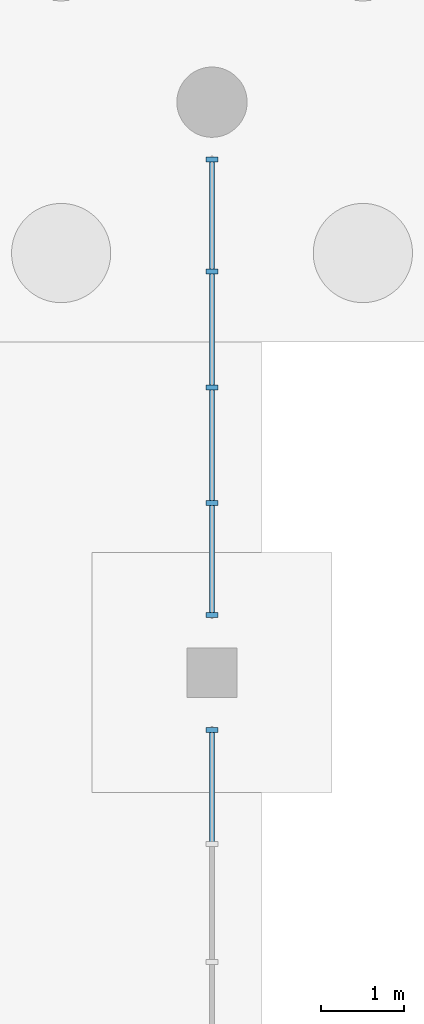
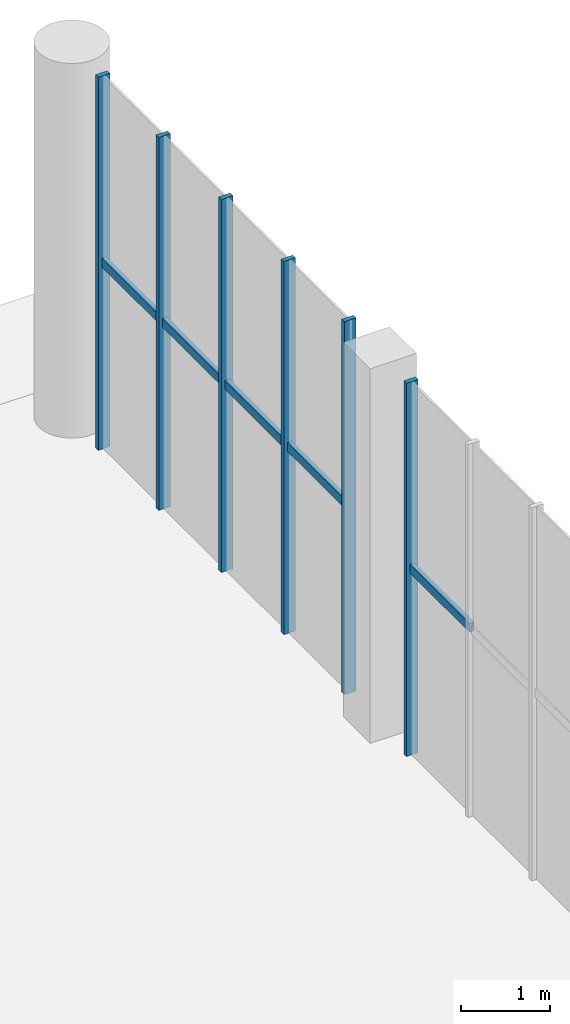
# One storey, part 55 of 87: 11 members, 2 elements without a shape of their own.
"""IFC4 building model written with IfcOpenShell, lengths in metres."""

from ifc_helpers import new_model, si_unit, direction, frame, origin, origin_2d, place, context, subcontext, project, spatial, rectangle, extrude, material, material_profile, profile_set, type_object, element, aggregate, save


model = new_model("IFC4")

# Units and contexts
model_context = context("Model", 3, precision=1e-05, world=origin(), true_north=direction((0.0, 1.0)))
body_context = subcontext(model_context, "Body", "Model", "MODEL_VIEW")
ifc_project = project(units=[si_unit("LENGTHUNIT", "METRE"), si_unit("AREAUNIT", "SQUARE_METRE"), si_unit("VOLUMEUNIT", "CUBIC_METRE"), si_unit("PLANEANGLEUNIT", "RADIAN"), si_unit("MASSUNIT", "GRAM", prefix="KILO")], contexts=[model_context])

# Site, building, storey
site_placement = place(None, origin())
site = spatial("IfcSite", under=ifc_project, at=site_placement, CompositionType="ELEMENT")
building_placement = place(site_placement, origin())
building = spatial("IfcBuilding", under=site, at=building_placement, Name="Brisemont Oceanarium", CompositionType="ELEMENT")
storey_placement = place(building_placement, origin())
storey = spatial("IfcBuildingStorey", under=building, at=storey_placement, Name="L00", CompositionType="ELEMENT", Elevation=0.0)

# Curtain wall, member
ifc_material_1 = material(Name="Anodized Extruded Aluminum 6063-T6", Category="aluminium")
curtain_wall_type = type_object("IfcCurtainWallType", Name="CW-RES-69X43", PredefinedType="NOTDEFINED", material=ifc_material_1)
curtain_wall_1_placement = place(storey_placement, origin())
curtain_wall_1 = element("IfcCurtainWall", 1, at=curtain_wall_1_placement, inside=storey, type_object=curtain_wall_type, Name="CW-16 curtain wall CW-V6-E-L00-03", PredefinedType="NOTDEFINED")
ifc_material_2 = material(Name="Anodized Extruded Aluminum 6063-T6", Category="aluminium")
ifc_material_profile_1 = material_profile(ifc_material_2, rectangle(XDim=0.06005859375, YDim=0.14990234375, at=origin_2d()), Name="CWM-60X150")
ifc_profile_set_1 = profile_set([ifc_material_profile_1], Name="Anodized Extruded Aluminum 6063-T6")
member_type_1 = type_object("IfcMemberType", Name="MEM-CWM-60", PredefinedType="MULLION", material=ifc_profile_set_1)
member_1_placement = place(storey_placement, frame((159.39990234375, 99.804931640625, 0.0), z_axis=(0.0, 0.0, 1.0), x_axis=(0.0, 1.0, 0.0)))
member_1 = element("IfcMember", 2, at=member_1_placement, type_object=member_type_1, Name="CW-V6-E-L00-03 mullion 5", PredefinedType="MULLION", context=body_context, shape_type="SweptSolid", body=[
    extrude(rectangle(XDim=0.06005859375, YDim=0.14990234375, at=origin_2d()), origin(), (0.0, 0.0, 1.0), 5.10009765625),
])

# Curtain wall, members
curtain_wall_2_placement = place(storey_placement, origin())
curtain_wall_2 = element("IfcCurtainWall", 3, at=curtain_wall_2_placement, inside=storey, type_object=curtain_wall_type, Name="CW-16 curtain wall CW-V6-E-L00-04", PredefinedType="NOTDEFINED")
member_2_placement = place(storey_placement, frame((159.39990234375, 101.195068359375, 0.0), z_axis=(0.0, 0.0, 1.0), x_axis=(0.0, 1.0, 0.0)))
member_2 = element("IfcMember", 4, at=member_2_placement, type_object=member_type_1, Name="CW-V6-E-L00-04 mullion 1", PredefinedType="MULLION", context=body_context, shape_type="SweptSolid", body=[
    extrude(rectangle(XDim=0.06005859375, YDim=0.14990234375, at=origin_2d()), origin(), (0.0, 0.0, 1.0), 5.10009765625),
])
member_3_placement = place(storey_placement, frame((159.39990234375, 102.550048828125, 0.0), z_axis=(0.0, 0.0, 1.0), x_axis=(0.0, 1.0, 0.0)))
member_3 = element("IfcMember", 5, at=member_3_placement, type_object=member_type_1, Name="CW-V6-E-L00-04 mullion 2", PredefinedType="MULLION", context=body_context, shape_type="SweptSolid", body=[
    extrude(rectangle(XDim=0.06005859375, YDim=0.14990234375, at=origin_2d()), origin(), (0.0, 0.0, 1.0), 5.10009765625),
])
member_4_placement = place(storey_placement, frame((159.39990234375, 103.949951171875, 0.0), z_axis=(0.0, 0.0, 1.0), x_axis=(0.0, 1.0, 0.0)))
member_4 = element("IfcMember", 6, at=member_4_placement, type_object=member_type_1, Name="CW-V6-E-L00-04 mullion 3", PredefinedType="MULLION", context=body_context, shape_type="SweptSolid", body=[
    extrude(rectangle(XDim=0.06005859375, YDim=0.14990234375, at=origin_2d()), origin(), (0.0, 0.0, 1.0), 5.10009765625),
])
member_5_placement = place(storey_placement, frame((159.39990234375, 105.35009765625, 0.0), z_axis=(0.0, 0.0, 1.0), x_axis=(0.0, 1.0, 0.0)))
member_5 = element("IfcMember", 7, at=member_5_placement, type_object=member_type_1, Name="CW-V6-E-L00-04 mullion 4", PredefinedType="MULLION", context=body_context, shape_type="SweptSolid", body=[
    extrude(rectangle(XDim=0.06005859375, YDim=0.14990234375, at=origin_2d()), origin(), (0.0, 0.0, 1.0), 5.10009765625),
])
member_6_placement = place(storey_placement, frame((159.39990234375, 106.705078125, 0.0), z_axis=(0.0, 0.0, 1.0), x_axis=(0.0, 1.0, 0.0)))
member_6 = element("IfcMember", 8, at=member_6_placement, type_object=member_type_1, Name="CW-V6-E-L00-04 mullion 5", PredefinedType="MULLION", context=body_context, shape_type="SweptSolid", body=[
    extrude(rectangle(XDim=0.06005859375, YDim=0.14990234375, at=origin_2d()), origin(), (0.0, 0.0, 1.0), 5.10009765625),
])

# Member
ifc_material_3 = material(Name="Anodized Extruded Aluminum 6063-T6", Category="aluminium")
ifc_material_profile_2 = material_profile(ifc_material_3, rectangle(XDim=0.06005859375, YDim=0.1201171875, at=origin_2d()), Name="CWT-60X120")
ifc_profile_set_2 = profile_set([ifc_material_profile_2], Name="Anodized Extruded Aluminum 6063-T6")
member_type_2 = type_object("IfcMemberType", Name="MEM-CWT-60", PredefinedType="USERDEFINED", material=ifc_profile_set_2)
member_7_placement = place(storey_placement, frame((159.39990234375, 98.43994140625, 2.550048828125), z_axis=(0.0, 1.0, 0.0), x_axis=(-1.0, 0.0, 0.0)))
member_7 = element("IfcMember", 9, at=member_7_placement, type_object=member_type_2, Name="CW-V6-E-L00-03 transom 4.1", ObjectType="TRANSOM", PredefinedType="USERDEFINED", context=body_context, shape_type="SweptSolid", body=[
    extrude(rectangle(XDim=0.06005859375, YDim=0.1201171875, at=origin_2d()), origin(), (0.0, 0.0, 1.0), 1.39501953125),
])

aggregate(curtain_wall_1, [member_1, member_7])

member_8_placement = place(storey_placement, frame((159.39990234375, 101.1650390625, 2.550048828125), z_axis=(0.0, 1.0, 0.0), x_axis=(-1.0, 0.0, 0.0)))
member_8 = element("IfcMember", 10, at=member_8_placement, type_object=member_type_2, Name="CW-V6-E-L00-04 transom 1.1", ObjectType="TRANSOM", PredefinedType="USERDEFINED", context=body_context, shape_type="SweptSolid", body=[
    extrude(rectangle(XDim=0.06005859375, YDim=0.1201171875, at=origin_2d()), origin(), (0.0, 0.0, 1.0), 1.369873046875),
])

member_9_placement = place(storey_placement, frame((159.39990234375, 102.56494140625, 2.550048828125), z_axis=(0.0, 1.0, 0.0), x_axis=(-1.0, 0.0, 0.0)))
member_9 = element("IfcMember", 11, at=member_9_placement, type_object=member_type_2, Name="CW-V6-E-L00-04 transom 2.1", ObjectType="TRANSOM", PredefinedType="USERDEFINED", context=body_context, shape_type="SweptSolid", body=[
    extrude(rectangle(XDim=0.06005859375, YDim=0.1201171875, at=origin_2d()), origin(), (0.0, 0.0, 1.0), 1.3701171875),
])

member_10_placement = place(storey_placement, frame((159.39990234375, 103.965087890625, 2.550048828125), z_axis=(0.0, 1.0, 0.0), x_axis=(-1.0, 0.0, 0.0)))
member_10 = element("IfcMember", 12, at=member_10_placement, type_object=member_type_2, Name="CW-V6-E-L00-04 transom 3.1", ObjectType="TRANSOM", PredefinedType="USERDEFINED", context=body_context, shape_type="SweptSolid", body=[
    extrude(rectangle(XDim=0.06005859375, YDim=0.1201171875, at=origin_2d()), origin(), (0.0, 0.0, 1.0), 1.369873046875),
])

member_11_placement = place(storey_placement, frame((159.39990234375, 105.364990234375, 2.550048828125), z_axis=(0.0, 1.0, 0.0), x_axis=(-1.0, 0.0, 0.0)))
member_11 = element("IfcMember", 13, at=member_11_placement, type_object=member_type_2, Name="CW-V6-E-L00-04 transom 4.1", ObjectType="TRANSOM", PredefinedType="USERDEFINED", context=body_context, shape_type="SweptSolid", body=[
    extrude(rectangle(XDim=0.06005859375, YDim=0.1201171875, at=origin_2d()), origin(), (0.0, 0.0, 1.0), 1.3701171875),
])

aggregate(curtain_wall_2, [member_2, member_3, member_4, member_5, member_6, member_8, member_9, member_10, member_11])

save(model, "model.ifc")
